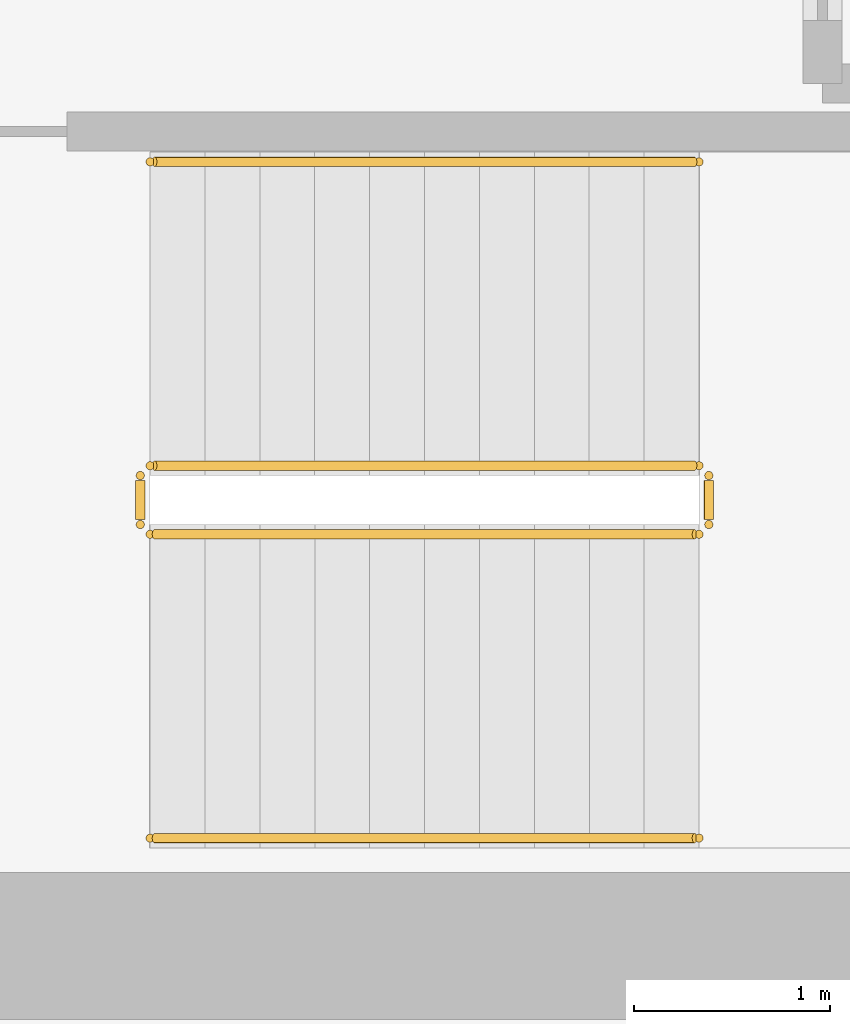
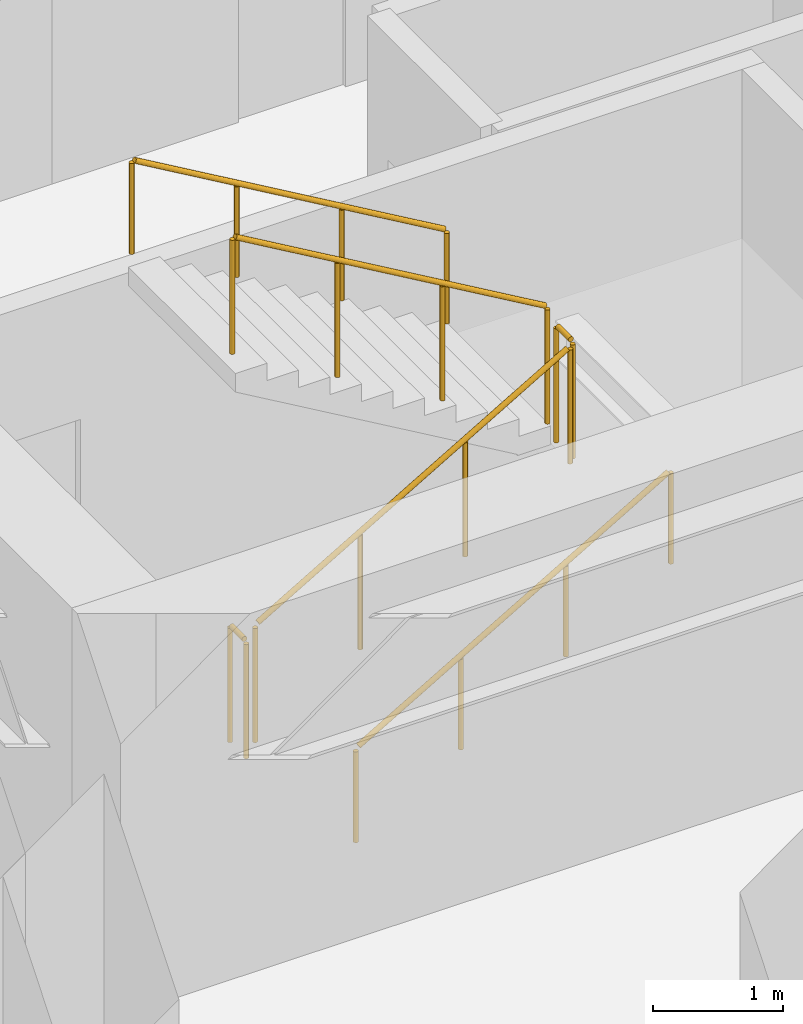
# One storey, part 12 of 12: 6 railings.
"""IFC4 building model written with IfcOpenShell, lengths in metres."""

from ifc_helpers import new_model, si_unit, direction, frame, origin, origin_2d, place, context, subcontext, project, spatial, circle, extrude, source, transform, mapped, material, layer, layer_set, type_object, element, save


model = new_model("IFC4")

# Units and contexts
model_context = context("Model", 3, precision=1e-05, world=origin(), true_north=direction((0.0, 1.0)))
body_context = subcontext(model_context, "Body", "Model", "MODEL_VIEW")
ifc_project = project(units=[si_unit("LENGTHUNIT", "METRE"), si_unit("AREAUNIT", "SQUARE_METRE"), si_unit("VOLUMEUNIT", "CUBIC_METRE"), si_unit("PLANEANGLEUNIT", "RADIAN"), si_unit("MASSUNIT", "GRAM", prefix="KILO")], contexts=[model_context])

# Site, building, storey
site_placement = place(None, origin())
site = spatial("IfcSite", under=ifc_project, at=site_placement, CompositionType="ELEMENT")
building_placement = place(site_placement, origin())
building = spatial("IfcBuilding", under=site, at=building_placement, Name="Kharzan Plaza Tower", CompositionType="ELEMENT")
storey_placement = place(building_placement, frame((0.0, 0.0, 106.199951171875)))
storey = spatial("IfcBuildingStorey", under=building, at=storey_placement, Name="L28", CompositionType="ELEMENT", Elevation=106.199951171875)

# Railings
ifc_material_1 = material(Name="Painted Galvanized Architectural Steel", Category="steel")
ifc_layer_1 = layer(ifc_material_1, 0.074951171875)
ifc_layer_set_1 = layer_set([ifc_layer_1], Name="Painted Galvanized Architectural Steel")
railing_type_1 = type_object("IfcRailingType", Name="RL-GUARD-1120", PredefinedType="BALUSTRADE", material=ifc_layer_set_1)
shared_shape_1 = source(origin(), body_context, "Body", "SweptSolid", [
    extrude(circle(Radius=0.02392578125, at=origin_2d()), frame((0.0, 0.0263671875, 1.09619140625), z_axis=(0.0, 1.0, 0.0), x_axis=(-1.0, 0.0, 0.0)), (0.0, 0.0, 1.0), 0.197021484375),
    extrude(circle(Radius=0.02099609375, at=origin_2d()), origin(), (0.0, 0.0, 1.0), 1.072021484375),
    extrude(circle(Radius=0.02099609375, at=origin_2d()), frame((0.0, 0.25, 0.0)), (0.0, 0.0, 1.0), 1.072021484375),
])
for number, where, name in (
    (1, (41.10009765625, 6.64990234375, 1.800048828125), "L28 ST-3 stair guard 2"),
    (2, (38.199951171875, 6.64990234375, 0.0), "L28 ST-3 stair guard 4"),
):
    element("IfcRailing", number, at=place(storey_placement, frame(where)), inside=storey, type_object=railing_type_1, Name=name, PredefinedType="BALUSTRADE", context=body_context, shape_type="MappedRepresentation", body=[
        mapped(shared_shape_1, transform((0.0, 0.0, 0.0), x_axis=(1.0, 0.0, 0.0), y_axis=(0.0, 1.0, 0.0), z_axis=(0.0, 0.0, 1.0))),
    ])
shared_shape_2 = source(origin(), body_context, "Body", "SweptSolid", [
    extrude(circle(Radius=0.02392578125, at=origin_2d()), frame((0.02294921875, 0.0, 1.109375), z_axis=(0.863360870873, 0.0, 0.504586966384), x_axis=(0.0, 1.0, 0.0)), (0.0, 0.0, 1.0), 3.190185546875),
    extrude(circle(Radius=0.02099609375, at=origin_2d()), origin(), (0.0, 0.0, 1.0), 1.072021484375),
    extrude(circle(Radius=0.02099609375, at=origin_2d()), frame((0.933349609375, 0.0, 0.54541015625)), (0.0, 0.0, 1.0), 1.072021484375),
    extrude(circle(Radius=0.02099609375, at=origin_2d()), frame((1.86669921875, 0.0, 1.091064453125)), (0.0, 0.0, 1.0), 1.072021484375),
    extrude(circle(Radius=0.02099609375, at=origin_2d()), frame((2.800048828125, 0.0, 1.636474609375)), (0.0, 0.0, 1.0), 1.072021484375),
])
railing_1_placement = place(storey_placement, frame((38.25, 6.60009765625, 0.16357421875)))
element("IfcRailing", 3, at=railing_1_placement, inside=storey, type_object=railing_type_1, Name="L28 ST-3 stair guard 1", PredefinedType="BALUSTRADE", context=body_context, shape_type="MappedRepresentation", body=[
    mapped(shared_shape_2, transform((0.0, 0.0, 0.0), x_axis=(1.0, 0.0, 0.0), y_axis=(0.0, 1.0, 0.0), z_axis=(0.0, 0.0, 1.0))),
])
shared_shape_3 = source(origin(), body_context, "Body", "SweptSolid", [
    extrude(circle(Radius=0.02392578125, at=origin_2d()), frame((-0.02294921875, 0.0, 1.109375), z_axis=(-0.863360870873, 0.0, 0.504586966384), x_axis=(0.0, -1.0, 0.0)), (0.0, 0.0, 1.0), 3.190185546875),
    extrude(circle(Radius=0.02099609375, at=origin_2d()), origin(), (0.0, 0.0, 1.0), 1.072021484375),
    extrude(circle(Radius=0.02099609375, at=origin_2d()), frame((-0.933349609375, 0.0, 0.54541015625)), (0.0, 0.0, 1.0), 1.072021484375),
    extrude(circle(Radius=0.02099609375, at=origin_2d()), frame((-1.86669921875, 0.0, 1.091064453125)), (0.0, 0.0, 1.0), 1.072021484375),
    extrude(circle(Radius=0.02099609375, at=origin_2d()), frame((-2.800048828125, 0.0, 1.636474609375)), (0.0, 0.0, 1.0), 1.072021484375),
])
railing_2_placement = place(storey_placement, frame((41.050048828125, 6.949951171875, 1.963623046875)))
element("IfcRailing", 4, at=railing_2_placement, inside=storey, type_object=railing_type_1, Name="L28 ST-3 stair guard 3", PredefinedType="BALUSTRADE", context=body_context, shape_type="MappedRepresentation", body=[
    mapped(shared_shape_3, transform((0.0, 0.0, 0.0), x_axis=(1.0, 0.0, 0.0), y_axis=(0.0, 1.0, 0.0), z_axis=(0.0, 0.0, 1.0))),
])
ifc_material_2 = material(Name="Brushed Stainless Steel", Category="steel")
ifc_layer_2 = layer(ifc_material_2, 0.050048828125)
ifc_layer_set_2 = layer_set([ifc_layer_2], Name="Brushed Stainless Steel")
railing_type_2 = type_object("IfcRailingType", Name="RL-STAIR-HR920", PredefinedType="HANDRAIL", material=ifc_layer_set_2)
shared_shape_4 = source(origin(), body_context, "Body", "SweptSolid", [
    extrude(circle(Radius=0.02392578125, at=origin_2d()), frame((0.02294921875, 0.0, 0.88916015625), z_axis=(0.863360870873, 0.0, 0.504586966384), x_axis=(0.0, 1.0, 0.0)), (0.0, 0.0, 1.0), 3.190185546875),
    extrude(circle(Radius=0.02099609375, at=origin_2d()), origin(), (0.0, 0.0, 1.0), 0.851806640625),
    extrude(circle(Radius=0.02099609375, at=origin_2d()), frame((0.933349609375, 0.0, 0.54541015625)), (0.0, 0.0, 1.0), 0.851806640625),
    extrude(circle(Radius=0.02099609375, at=origin_2d()), frame((1.86669921875, 0.0, 1.091064453125)), (0.0, 0.0, 1.0), 0.851806640625),
    extrude(circle(Radius=0.02099609375, at=origin_2d()), frame((2.800048828125, 0.0, 1.636474609375)), (0.0, 0.0, 1.0), 0.851806640625),
])
railing_3_placement = place(storey_placement, frame((38.25, 5.050048828125, 0.16357421875)))
element("IfcRailing", 5, at=railing_3_placement, inside=storey, type_object=railing_type_2, Name="L28 ST-3 stair handrail 1", PredefinedType="HANDRAIL", context=body_context, shape_type="MappedRepresentation", body=[
    mapped(shared_shape_4, transform((0.0, 0.0, 0.0), x_axis=(1.0, 0.0, 0.0), y_axis=(0.0, 1.0, 0.0), z_axis=(0.0, 0.0, 1.0))),
])
shared_shape_5 = source(origin(), body_context, "Body", "SweptSolid", [
    extrude(circle(Radius=0.02392578125, at=origin_2d()), frame((-0.02294921875, 0.0, 0.88916015625), z_axis=(-0.863360870873, 0.0, 0.504586966384), x_axis=(0.0, -1.0, 0.0)), (0.0, 0.0, 1.0), 3.190185546875),
    extrude(circle(Radius=0.02099609375, at=origin_2d()), origin(), (0.0, 0.0, 1.0), 0.851806640625),
    extrude(circle(Radius=0.02099609375, at=origin_2d()), frame((-0.933349609375, 0.0, 0.54541015625)), (0.0, 0.0, 1.0), 0.851806640625),
    extrude(circle(Radius=0.02099609375, at=origin_2d()), frame((-1.86669921875, 0.0, 1.091064453125)), (0.0, 0.0, 1.0), 0.851806640625),
    extrude(circle(Radius=0.02099609375, at=origin_2d()), frame((-2.800048828125, 0.0, 1.636474609375)), (0.0, 0.0, 1.0), 0.851806640625),
])
railing_4_placement = place(storey_placement, frame((41.050048828125, 8.5, 1.963623046875)))
element("IfcRailing", 6, at=railing_4_placement, inside=storey, type_object=railing_type_2, Name="L28 ST-3 stair handrail 2", PredefinedType="HANDRAIL", context=body_context, shape_type="MappedRepresentation", body=[
    mapped(shared_shape_5, transform((0.0, 0.0, 0.0), x_axis=(1.0, 0.0, 0.0), y_axis=(0.0, 1.0, 0.0), z_axis=(0.0, 0.0, 1.0))),
])

save(model, "model.ifc")
